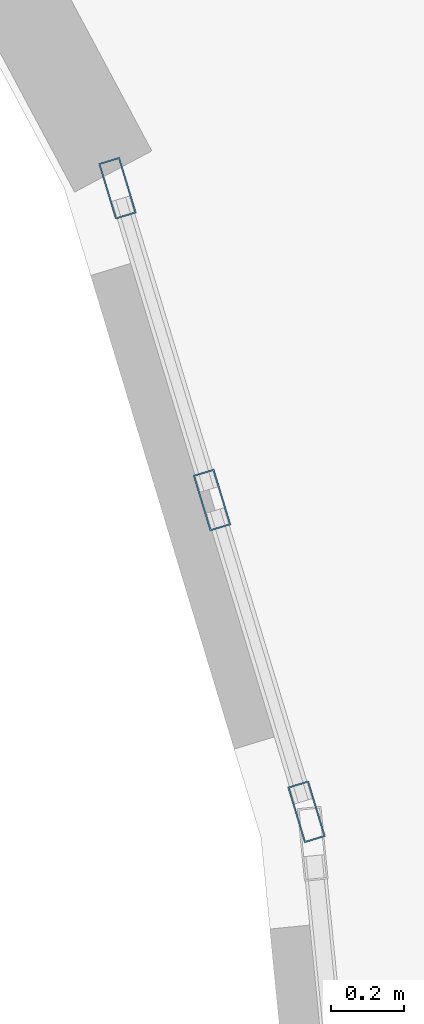
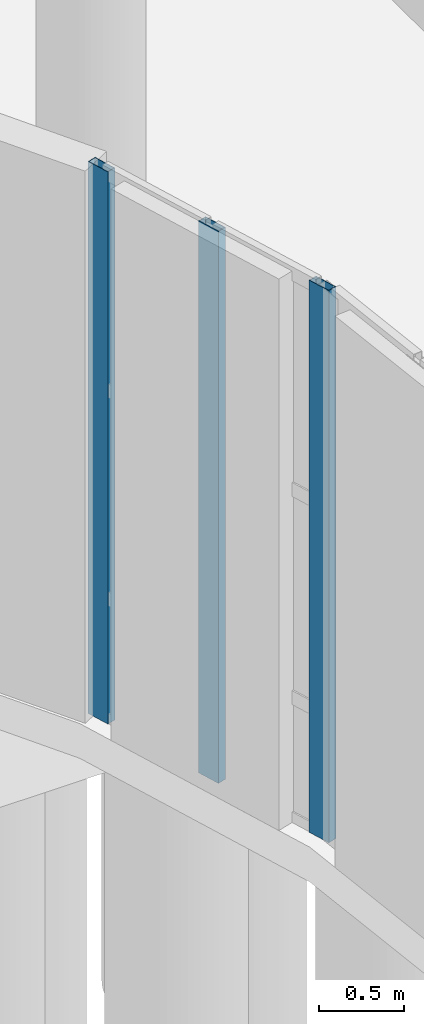
# One storey, part 34 of 93: 3 members, 1 element without a shape of its own.
"""IFC4 building model written with IfcOpenShell, lengths in metres."""

from ifc_helpers import new_model, si_unit, direction, frame, origin, origin_2d, place, context, subcontext, project, spatial, hollow_rectangle, extrude, material, layer, layer_set, material_profile, profile_set, type_object, element, aggregate, save


model = new_model("IFC4")

# Units and contexts
model_context = context("Model", 3, precision=1e-05, world=origin(), true_north=direction((0.0, 1.0)))
body_context = subcontext(model_context, "Body", "Model", "MODEL_VIEW")
ifc_project = project(units=[si_unit("LENGTHUNIT", "METRE"), si_unit("AREAUNIT", "SQUARE_METRE"), si_unit("VOLUMEUNIT", "CUBIC_METRE"), si_unit("PLANEANGLEUNIT", "RADIAN"), si_unit("MASSUNIT", "GRAM", prefix="KILO")], contexts=[model_context])

# Site, building, storey
site_placement = place(None, origin())
site = spatial("IfcSite", under=ifc_project, at=site_placement, CompositionType="ELEMENT")
building_placement = place(site_placement, origin())
building = spatial("IfcBuilding", under=site, at=building_placement, Name="Kelanivale Promenade Academy", CompositionType="ELEMENT")
storey_placement = place(building_placement, origin())
storey = spatial("IfcBuildingStorey", under=building, at=storey_placement, Name="L00", CompositionType="ELEMENT", Elevation=0.0)

# Curtain wall, members
ifc_material_1 = material(Name="Bronze anodised aluminium and solar-control low-E glass", Category="aluminium")
ifc_layer = layer(ifc_material_1, 0.169921875)
ifc_layer_set = layer_set([ifc_layer], Name="Bronze anodised aluminium and solar-control low-E glass")
curtain_wall_type = type_object("IfcCurtainWallType", Name="CW-01 Curtain Wall 1350mm Module", PredefinedType="USERDEFINED", material=ifc_layer_set)
curtain_wall_placement = place(storey_placement, origin())
curtain_wall = element("IfcCurtainWall", 1, at=curtain_wall_placement, inside=storey, type_object=curtain_wall_type, Name="L00 courtyard curtain wall CW-01", ObjectType="UNITISED GLAZING", PredefinedType="USERDEFINED")
ifc_material_2 = material(Name="Bronze anodised aluminium EN AW-6063 T6", Category="aluminium")
ifc_material_profile = material_profile(ifc_material_2, hollow_rectangle(XDim=0.06005859375, YDim=0.159912109375, WallThickness=0.00390625, at=origin_2d()), Name="ALU 60x160x4.0")
ifc_profile_set = profile_set([ifc_material_profile], Name="Bronze anodised aluminium EN AW-6063 T6")
member_type = type_object("IfcMemberType", Name="CWM-01 ALU 60x160x4.0", PredefinedType="MULLION", material=ifc_profile_set)
member_1_placement = place(storey_placement, frame((108.2421875, 58.72265625, 0.0), z_axis=(0.0, 0.0, 1.0), x_axis=(-0.956987977524, -0.290127576893, 0.0)))
member_1 = element("IfcMember", 2, at=member_1_placement, type_object=member_type, Name="CW-01 mullion 1", PredefinedType="MULLION", context=body_context, shape_type="SweptSolid", body=[
    extrude(hollow_rectangle(XDim=0.06005859375, YDim=0.159912109375, WallThickness=0.00390625, at=origin_2d()), origin(), (0.0, 0.0, 1.0), 3.97998046875),
])
member_2_placement = place(storey_placement, frame((107.98291015625, 59.577880859375, 0.0), z_axis=(0.0, 0.0, 1.0), x_axis=(-0.956987977524, -0.290127576893, 0.0)))
member_2 = element("IfcMember", 3, at=member_2_placement, type_object=member_type, Name="CW-01 mullion 2", PredefinedType="MULLION", context=body_context, shape_type="SweptSolid", body=[
    extrude(hollow_rectangle(XDim=0.06005859375, YDim=0.159912109375, WallThickness=0.00390625, at=origin_2d()), origin(), (0.0, 0.0, 1.0), 3.97998046875),
])
member_3_placement = place(storey_placement, frame((107.7236328125, 60.433349609375, 0.0), z_axis=(0.0, 0.0, 1.0), x_axis=(-0.956987977524, -0.290127576893, 0.0)))
member_3 = element("IfcMember", 4, at=member_3_placement, type_object=member_type, Name="CW-01 mullion 3", PredefinedType="MULLION", context=body_context, shape_type="SweptSolid", body=[
    extrude(hollow_rectangle(XDim=0.06005859375, YDim=0.159912109375, WallThickness=0.00390625, at=origin_2d()), origin(), (0.0, 0.0, 1.0), 3.97998046875),
])
aggregate(curtain_wall, [member_1, member_2, member_3])

save(model, "model.ifc")
